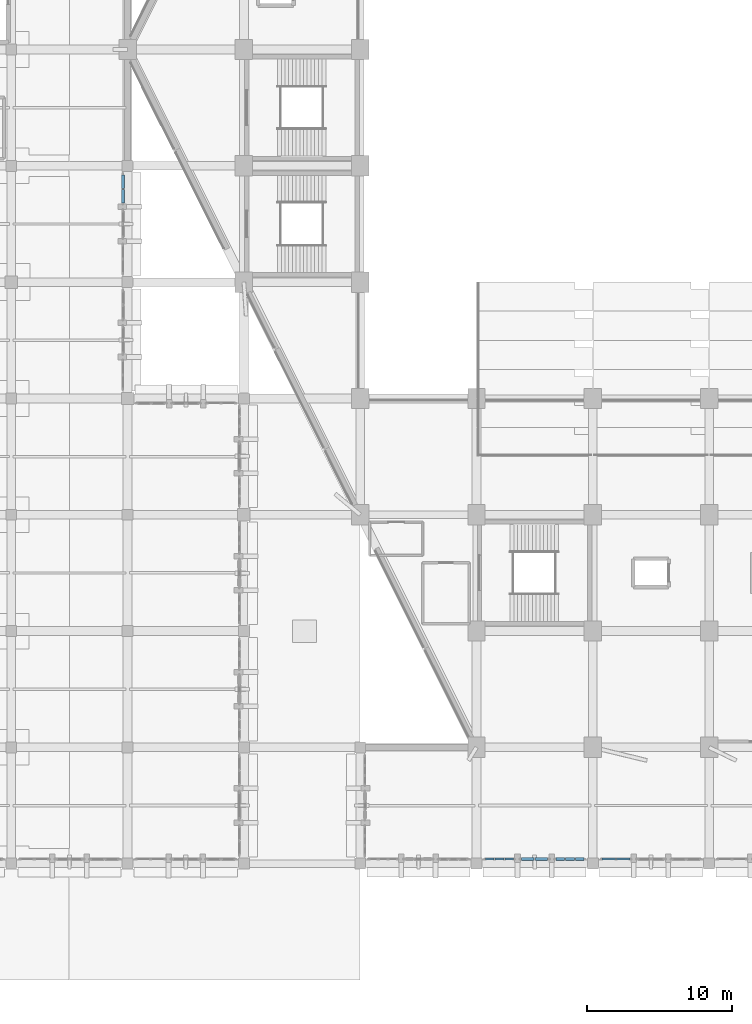
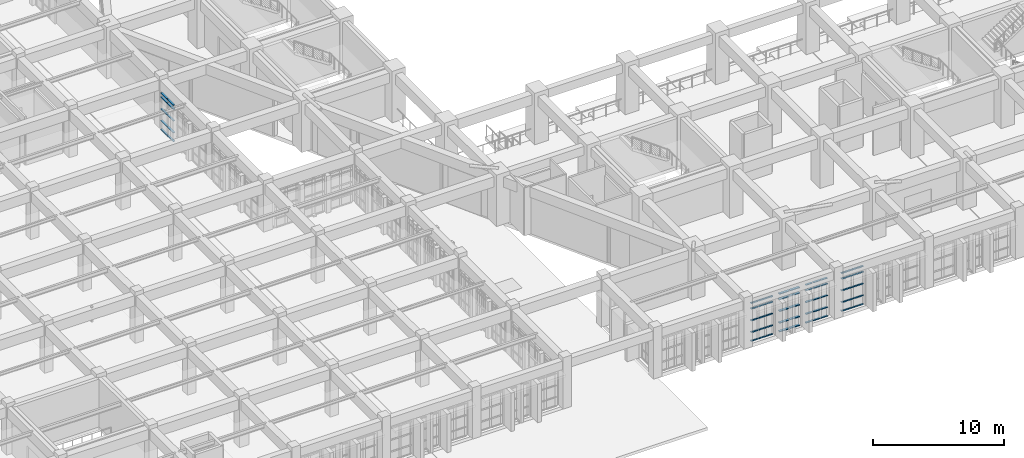
# One storey, part 58 of 155: 60 members, 5 elements without a shape of their own.
"""IFC4 building model written with IfcOpenShell, lengths in metres."""

from ifc_helpers import new_model, si_unit, direction, frame, origin, origin_2d, place, context, subcontext, project, spatial, rectangle, extrude, material, layer, layer_set, material_profile, profile_set, type_object, element, aggregate, save


model = new_model("IFC4")

# Units and contexts
model_context = context("Model", 3, precision=1e-05, world=origin(), true_north=direction((0.0, 1.0)))
body_context = subcontext(model_context, "Body", "Model", "MODEL_VIEW")
ifc_project = project(units=[si_unit("LENGTHUNIT", "METRE"), si_unit("AREAUNIT", "SQUARE_METRE"), si_unit("VOLUMEUNIT", "CUBIC_METRE"), si_unit("PLANEANGLEUNIT", "RADIAN"), si_unit("MASSUNIT", "GRAM", prefix="KILO")], contexts=[model_context])

# Site, building, storey
site_placement = place(None, origin())
site = spatial("IfcSite", under=ifc_project, at=site_placement, CompositionType="ELEMENT")
building_placement = place(site_placement, origin())
building = spatial("IfcBuilding", under=site, at=building_placement, Name="Tazarka Park Arena", CompositionType="ELEMENT")
storey_placement = place(building_placement, frame((0.0, 0.0, 5.39990234375)))
storey = spatial("IfcBuildingStorey", under=building, at=storey_placement, Name="L01", CompositionType="ELEMENT", Elevation=5.39990234375)

# Curtain wall, members
ifc_material_1 = material(Name="Aluminium and low-e glass", Category="aluminium")
ifc_layer_1 = layer(ifc_material_1, 0.179931640625, Name="Aluminium and low-e glass")
ifc_layer_set_1 = layer_set([ifc_layer_1], Name="Aluminium and low-e glass")
curtain_wall_type_1 = type_object("IfcCurtainWallType", Name="CW-09", PredefinedType="NOTDEFINED", material=ifc_layer_set_1)
curtain_wall_1_placement = place(storey_placement, origin())
curtain_wall_1 = element("IfcCurtainWall", 1, at=curtain_wall_1_placement, inside=storey, type_object=curtain_wall_type_1, Name="Curtain Wall CWA-L01-009", PredefinedType="NOTDEFINED")
ifc_material_2 = material(Name="Aluminium 6060-T66", Category="aluminium")
ifc_material_profile_1 = material_profile(ifc_material_2, rectangle(XDim=0.139892578125, YDim=0.06494140625, at=origin_2d()), Name="Aluminium 6060-T66")
ifc_profile_set_1 = profile_set([ifc_material_profile_1], Name="Aluminium 6060-T66")
member_type_1 = type_object("IfcMemberType", Name="CWT-01", PredefinedType="USERDEFINED", material=ifc_profile_set_1)
member_1_placement = place(storey_placement, frame((66.543212890625, 8.320068359375, 0.03271484375), z_axis=(-1.0, 0.0, 0.0), x_axis=(0.0, -1.0, 0.0)))
member_1 = element("IfcMember", 2, at=member_1_placement, type_object=member_type_1, Name="CW-09 transom 1.1", ObjectType="TRANSOM", PredefinedType="USERDEFINED", context=body_context, shape_type="SweptSolid", body=[
    extrude(rectangle(XDim=0.139892578125, YDim=0.06494140625, at=origin_2d()), origin(), (0.0, 0.0, 1.0), 0.5869140625),
])
member_2_placement = place(storey_placement, frame((66.543212890625, 8.320068359375, 0.85009765625), z_axis=(-1.0, 0.0, 0.0), x_axis=(0.0, -1.0, 0.0)))
member_2 = element("IfcMember", 3, at=member_2_placement, type_object=member_type_1, Name="CW-09 transom 1.2", ObjectType="TRANSOM", PredefinedType="USERDEFINED", context=body_context, shape_type="SweptSolid", body=[
    extrude(rectangle(XDim=0.139892578125, YDim=0.06494140625, at=origin_2d()), origin(), (0.0, 0.0, 1.0), 0.5869140625),
])
member_3_placement = place(storey_placement, frame((66.543212890625, 8.320068359375, 1.9501953125), z_axis=(-1.0, 0.0, 0.0), x_axis=(0.0, -1.0, 0.0)))
member_3 = element("IfcMember", 4, at=member_3_placement, type_object=member_type_1, Name="CW-09 transom 1.3", ObjectType="TRANSOM", PredefinedType="USERDEFINED", context=body_context, shape_type="SweptSolid", body=[
    extrude(rectangle(XDim=0.139892578125, YDim=0.06494140625, at=origin_2d()), origin(), (0.0, 0.0, 1.0), 0.5869140625),
])
member_4_placement = place(storey_placement, frame((66.543212890625, 8.320068359375, 3.050048828125), z_axis=(-1.0, 0.0, 0.0), x_axis=(0.0, -1.0, 0.0)))
member_4 = element("IfcMember", 5, at=member_4_placement, type_object=member_type_1, Name="CW-09 transom 1.4", ObjectType="TRANSOM", PredefinedType="USERDEFINED", context=body_context, shape_type="SweptSolid", body=[
    extrude(rectangle(XDim=0.139892578125, YDim=0.06494140625, at=origin_2d()), origin(), (0.0, 0.0, 1.0), 0.5869140625),
])
member_5_placement = place(storey_placement, frame((66.543212890625, 8.320068359375, 3.567626953125), z_axis=(-1.0, 0.0, 0.0), x_axis=(0.0, -1.0, 0.0)))
member_5 = element("IfcMember", 6, at=member_5_placement, type_object=member_type_1, Name="CW-09 transom 1.5", ObjectType="TRANSOM", PredefinedType="USERDEFINED", context=body_context, shape_type="SweptSolid", body=[
    extrude(rectangle(XDim=0.139892578125, YDim=0.06494140625, at=origin_2d()), origin(), (0.0, 0.0, 1.0), 0.5869140625),
])
member_6_placement = place(storey_placement, frame((65.891357421875, 8.320068359375, 0.03271484375), z_axis=(-1.0, 0.0, 0.0), x_axis=(0.0, -1.0, 0.0)))
member_6 = element("IfcMember", 7, at=member_6_placement, type_object=member_type_1, Name="CW-09 transom 2.1", ObjectType="TRANSOM", PredefinedType="USERDEFINED", context=body_context, shape_type="SweptSolid", body=[
    extrude(rectangle(XDim=0.139892578125, YDim=0.06494140625, at=origin_2d()), origin(), (0.0, 0.0, 1.0), 0.619384765625),
])
member_7_placement = place(storey_placement, frame((65.891357421875, 8.320068359375, 0.85009765625), z_axis=(-1.0, 0.0, 0.0), x_axis=(0.0, -1.0, 0.0)))
member_7 = element("IfcMember", 8, at=member_7_placement, type_object=member_type_1, Name="CW-09 transom 2.2", ObjectType="TRANSOM", PredefinedType="USERDEFINED", context=body_context, shape_type="SweptSolid", body=[
    extrude(rectangle(XDim=0.139892578125, YDim=0.06494140625, at=origin_2d()), origin(), (0.0, 0.0, 1.0), 0.619384765625),
])
member_8_placement = place(storey_placement, frame((65.891357421875, 8.320068359375, 1.9501953125), z_axis=(-1.0, 0.0, 0.0), x_axis=(0.0, -1.0, 0.0)))
member_8 = element("IfcMember", 9, at=member_8_placement, type_object=member_type_1, Name="CW-09 transom 2.3", ObjectType="TRANSOM", PredefinedType="USERDEFINED", context=body_context, shape_type="SweptSolid", body=[
    extrude(rectangle(XDim=0.139892578125, YDim=0.06494140625, at=origin_2d()), origin(), (0.0, 0.0, 1.0), 0.619384765625),
])
member_9_placement = place(storey_placement, frame((65.891357421875, 8.320068359375, 3.050048828125), z_axis=(-1.0, 0.0, 0.0), x_axis=(0.0, -1.0, 0.0)))
member_9 = element("IfcMember", 10, at=member_9_placement, type_object=member_type_1, Name="CW-09 transom 2.4", ObjectType="TRANSOM", PredefinedType="USERDEFINED", context=body_context, shape_type="SweptSolid", body=[
    extrude(rectangle(XDim=0.139892578125, YDim=0.06494140625, at=origin_2d()), origin(), (0.0, 0.0, 1.0), 0.619384765625),
])
member_10_placement = place(storey_placement, frame((65.891357421875, 8.320068359375, 3.567626953125), z_axis=(-1.0, 0.0, 0.0), x_axis=(0.0, -1.0, 0.0)))
member_10 = element("IfcMember", 11, at=member_10_placement, type_object=member_type_1, Name="CW-09 transom 2.5", ObjectType="TRANSOM", PredefinedType="USERDEFINED", context=body_context, shape_type="SweptSolid", body=[
    extrude(rectangle(XDim=0.139892578125, YDim=0.06494140625, at=origin_2d()), origin(), (0.0, 0.0, 1.0), 0.619384765625),
])
member_11_placement = place(storey_placement, frame((65.20703125, 8.320068359375, 0.03271484375), z_axis=(-1.0, 0.0, 0.0), x_axis=(0.0, -1.0, 0.0)))
member_11 = element("IfcMember", 12, at=member_11_placement, type_object=member_type_1, Name="CW-09 transom 3.1", ObjectType="TRANSOM", PredefinedType="USERDEFINED", context=body_context, shape_type="SweptSolid", body=[
    extrude(rectangle(XDim=0.139892578125, YDim=0.06494140625, at=origin_2d()), origin(), (0.0, 0.0, 1.0), 0.5869140625),
])
member_12_placement = place(storey_placement, frame((65.20703125, 8.320068359375, 0.85009765625), z_axis=(-1.0, 0.0, 0.0), x_axis=(0.0, -1.0, 0.0)))
member_12 = element("IfcMember", 13, at=member_12_placement, type_object=member_type_1, Name="CW-09 transom 3.2", ObjectType="TRANSOM", PredefinedType="USERDEFINED", context=body_context, shape_type="SweptSolid", body=[
    extrude(rectangle(XDim=0.139892578125, YDim=0.06494140625, at=origin_2d()), origin(), (0.0, 0.0, 1.0), 0.5869140625),
])
member_13_placement = place(storey_placement, frame((65.20703125, 8.320068359375, 1.9501953125), z_axis=(-1.0, 0.0, 0.0), x_axis=(0.0, -1.0, 0.0)))
member_13 = element("IfcMember", 14, at=member_13_placement, type_object=member_type_1, Name="CW-09 transom 3.3", ObjectType="TRANSOM", PredefinedType="USERDEFINED", context=body_context, shape_type="SweptSolid", body=[
    extrude(rectangle(XDim=0.139892578125, YDim=0.06494140625, at=origin_2d()), origin(), (0.0, 0.0, 1.0), 0.5869140625),
])
member_14_placement = place(storey_placement, frame((65.20703125, 8.320068359375, 3.050048828125), z_axis=(-1.0, 0.0, 0.0), x_axis=(0.0, -1.0, 0.0)))
member_14 = element("IfcMember", 15, at=member_14_placement, type_object=member_type_1, Name="CW-09 transom 3.4", ObjectType="TRANSOM", PredefinedType="USERDEFINED", context=body_context, shape_type="SweptSolid", body=[
    extrude(rectangle(XDim=0.139892578125, YDim=0.06494140625, at=origin_2d()), origin(), (0.0, 0.0, 1.0), 0.5869140625),
])
member_15_placement = place(storey_placement, frame((65.20703125, 8.320068359375, 3.567626953125), z_axis=(-1.0, 0.0, 0.0), x_axis=(0.0, -1.0, 0.0)))
member_15 = element("IfcMember", 16, at=member_15_placement, type_object=member_type_1, Name="CW-09 transom 3.5", ObjectType="TRANSOM", PredefinedType="USERDEFINED", context=body_context, shape_type="SweptSolid", body=[
    extrude(rectangle(XDim=0.139892578125, YDim=0.06494140625, at=origin_2d()), origin(), (0.0, 0.0, 1.0), 0.5869140625),
])
aggregate(curtain_wall_1, [member_1, member_2, member_3, member_4, member_5, member_6, member_7, member_8, member_9, member_10, member_11, member_12, member_13, member_14, member_15])

ifc_material_3 = material(Name="Aluminium and low-e glass", Category="aluminium")
ifc_layer_2 = layer(ifc_material_3, 0.179931640625, Name="Aluminium and low-e glass")
ifc_layer_set_2 = layer_set([ifc_layer_2], Name="Aluminium and low-e glass")
curtain_wall_type_2 = type_object("IfcCurtainWallType", Name="CW-12", PredefinedType="NOTDEFINED", material=ifc_layer_set_2)
curtain_wall_2_placement = place(storey_placement, origin())
curtain_wall_2 = element("IfcCurtainWall", 17, at=curtain_wall_2_placement, inside=storey, type_object=curtain_wall_type_2, Name="Curtain Wall CWA-L01-012", PredefinedType="NOTDEFINED")
member_16_placement = place(storey_placement, frame((74.543212890625, 8.320068359375, 0.03271484375), z_axis=(-1.0, 0.0, 0.0), x_axis=(0.0, -1.0, 0.0)))
member_16 = element("IfcMember", 18, at=member_16_placement, type_object=member_type_1, Name="CW-12 transom 1.1", ObjectType="TRANSOM", PredefinedType="USERDEFINED", context=body_context, shape_type="SweptSolid", body=[
    extrude(rectangle(XDim=0.139892578125, YDim=0.06494140625, at=origin_2d()), origin(), (0.0, 0.0, 1.0), 0.928955078125),
])
member_17_placement = place(storey_placement, frame((74.543212890625, 8.320068359375, 0.85009765625), z_axis=(-1.0, 0.0, 0.0), x_axis=(0.0, -1.0, 0.0)))
member_17 = element("IfcMember", 19, at=member_17_placement, type_object=member_type_1, Name="CW-12 transom 1.2", ObjectType="TRANSOM", PredefinedType="USERDEFINED", context=body_context, shape_type="SweptSolid", body=[
    extrude(rectangle(XDim=0.139892578125, YDim=0.06494140625, at=origin_2d()), origin(), (0.0, 0.0, 1.0), 0.928955078125),
])
member_18_placement = place(storey_placement, frame((74.543212890625, 8.320068359375, 1.9501953125), z_axis=(-1.0, 0.0, 0.0), x_axis=(0.0, -1.0, 0.0)))
member_18 = element("IfcMember", 20, at=member_18_placement, type_object=member_type_1, Name="CW-12 transom 1.3", ObjectType="TRANSOM", PredefinedType="USERDEFINED", context=body_context, shape_type="SweptSolid", body=[
    extrude(rectangle(XDim=0.139892578125, YDim=0.06494140625, at=origin_2d()), origin(), (0.0, 0.0, 1.0), 0.928955078125),
])
member_19_placement = place(storey_placement, frame((74.543212890625, 8.320068359375, 3.050048828125), z_axis=(-1.0, 0.0, 0.0), x_axis=(0.0, -1.0, 0.0)))
member_19 = element("IfcMember", 21, at=member_19_placement, type_object=member_type_1, Name="CW-12 transom 1.4", ObjectType="TRANSOM", PredefinedType="USERDEFINED", context=body_context, shape_type="SweptSolid", body=[
    extrude(rectangle(XDim=0.139892578125, YDim=0.06494140625, at=origin_2d()), origin(), (0.0, 0.0, 1.0), 0.928955078125),
])
member_20_placement = place(storey_placement, frame((74.543212890625, 8.320068359375, 3.567626953125), z_axis=(-1.0, 0.0, 0.0), x_axis=(0.0, -1.0, 0.0)))
member_20 = element("IfcMember", 22, at=member_20_placement, type_object=member_type_1, Name="CW-12 transom 1.5", ObjectType="TRANSOM", PredefinedType="USERDEFINED", context=body_context, shape_type="SweptSolid", body=[
    extrude(rectangle(XDim=0.139892578125, YDim=0.06494140625, at=origin_2d()), origin(), (0.0, 0.0, 1.0), 0.928955078125),
])
member_21_placement = place(storey_placement, frame((73.549072265625, 8.320068359375, 0.03271484375), z_axis=(-1.0, 0.0, 0.0), x_axis=(0.0, -1.0, 0.0)))
member_21 = element("IfcMember", 23, at=member_21_placement, type_object=member_type_1, Name="CW-12 transom 2.1", ObjectType="TRANSOM", PredefinedType="USERDEFINED", context=body_context, shape_type="SweptSolid", body=[
    extrude(rectangle(XDim=0.139892578125, YDim=0.06494140625, at=origin_2d()), origin(), (0.0, 0.0, 1.0), 0.928955078125),
])
member_22_placement = place(storey_placement, frame((73.549072265625, 8.320068359375, 0.85009765625), z_axis=(-1.0, 0.0, 0.0), x_axis=(0.0, -1.0, 0.0)))
member_22 = element("IfcMember", 24, at=member_22_placement, type_object=member_type_1, Name="CW-12 transom 2.2", ObjectType="TRANSOM", PredefinedType="USERDEFINED", context=body_context, shape_type="SweptSolid", body=[
    extrude(rectangle(XDim=0.139892578125, YDim=0.06494140625, at=origin_2d()), origin(), (0.0, 0.0, 1.0), 0.928955078125),
])
member_23_placement = place(storey_placement, frame((73.549072265625, 8.320068359375, 1.9501953125), z_axis=(-1.0, 0.0, 0.0), x_axis=(0.0, -1.0, 0.0)))
member_23 = element("IfcMember", 25, at=member_23_placement, type_object=member_type_1, Name="CW-12 transom 2.3", ObjectType="TRANSOM", PredefinedType="USERDEFINED", context=body_context, shape_type="SweptSolid", body=[
    extrude(rectangle(XDim=0.139892578125, YDim=0.06494140625, at=origin_2d()), origin(), (0.0, 0.0, 1.0), 0.928955078125),
])
member_24_placement = place(storey_placement, frame((73.549072265625, 8.320068359375, 3.050048828125), z_axis=(-1.0, 0.0, 0.0), x_axis=(0.0, -1.0, 0.0)))
member_24 = element("IfcMember", 26, at=member_24_placement, type_object=member_type_1, Name="CW-12 transom 2.4", ObjectType="TRANSOM", PredefinedType="USERDEFINED", context=body_context, shape_type="SweptSolid", body=[
    extrude(rectangle(XDim=0.139892578125, YDim=0.06494140625, at=origin_2d()), origin(), (0.0, 0.0, 1.0), 0.928955078125),
])
member_25_placement = place(storey_placement, frame((73.549072265625, 8.320068359375, 3.567626953125), z_axis=(-1.0, 0.0, 0.0), x_axis=(0.0, -1.0, 0.0)))
member_25 = element("IfcMember", 27, at=member_25_placement, type_object=member_type_1, Name="CW-12 transom 2.5", ObjectType="TRANSOM", PredefinedType="USERDEFINED", context=body_context, shape_type="SweptSolid", body=[
    extrude(rectangle(XDim=0.139892578125, YDim=0.06494140625, at=origin_2d()), origin(), (0.0, 0.0, 1.0), 0.928955078125),
])
aggregate(curtain_wall_2, [member_16, member_17, member_18, member_19, member_20, member_21, member_22, member_23, member_24, member_25])

ifc_material_4 = material(Name="Aluminium and low-e glass", Category="aluminium")
ifc_layer_3 = layer(ifc_material_4, 0.179931640625, Name="Aluminium and low-e glass")
ifc_layer_set_3 = layer_set([ifc_layer_3], Name="Aluminium and low-e glass")
curtain_wall_type_3 = type_object("IfcCurtainWallType", Name="CW-07", PredefinedType="NOTDEFINED", material=ifc_layer_set_3)
curtain_wall_3_placement = place(storey_placement, origin())
curtain_wall_3 = element("IfcCurtainWall", 28, at=curtain_wall_3_placement, inside=storey, type_object=curtain_wall_type_3, Name="Curtain Wall CWA-L01-007", PredefinedType="NOTDEFINED")
ifc_material_5 = material(Name="Aluminium 6060-T66", Category="aluminium")
ifc_material_profile_2 = material_profile(ifc_material_5, rectangle(XDim=0.179931640625, YDim=0.06494140625, at=origin_2d()), Name="Aluminium 6060-T66")
ifc_profile_set_2 = profile_set([ifc_material_profile_2], Name="Aluminium 6060-T66")
member_type_2 = type_object("IfcMemberType", Name="CWT-02", PredefinedType="USERDEFINED", material=ifc_profile_set_2)
member_26_placement = place(storey_placement, frame((71.3798828125, 8.320068359375, 0.03271484375), z_axis=(-1.0, 0.0, 0.0), x_axis=(0.0, -1.0, 0.0)))
member_26 = element("IfcMember", 29, at=member_26_placement, type_object=member_type_2, Name="CW-07 transom 1.1", ObjectType="TRANSOM", PredefinedType="USERDEFINED", context=body_context, shape_type="SweptSolid", body=[
    extrude(rectangle(XDim=0.179931640625, YDim=0.06494140625, at=origin_2d()), origin(), (0.0, 0.0, 1.0), 0.5869140625),
])
member_27_placement = place(storey_placement, frame((71.3798828125, 8.320068359375, 0.85009765625), z_axis=(-1.0, 0.0, 0.0), x_axis=(0.0, -1.0, 0.0)))
member_27 = element("IfcMember", 30, at=member_27_placement, type_object=member_type_2, Name="CW-07 transom 1.2", ObjectType="TRANSOM", PredefinedType="USERDEFINED", context=body_context, shape_type="SweptSolid", body=[
    extrude(rectangle(XDim=0.179931640625, YDim=0.06494140625, at=origin_2d()), origin(), (0.0, 0.0, 1.0), 0.5869140625),
])
member_28_placement = place(storey_placement, frame((71.3798828125, 8.320068359375, 1.9501953125), z_axis=(-1.0, 0.0, 0.0), x_axis=(0.0, -1.0, 0.0)))
member_28 = element("IfcMember", 31, at=member_28_placement, type_object=member_type_2, Name="CW-07 transom 1.3", ObjectType="TRANSOM", PredefinedType="USERDEFINED", context=body_context, shape_type="SweptSolid", body=[
    extrude(rectangle(XDim=0.179931640625, YDim=0.06494140625, at=origin_2d()), origin(), (0.0, 0.0, 1.0), 0.5869140625),
])
member_29_placement = place(storey_placement, frame((71.3798828125, 8.320068359375, 3.050048828125), z_axis=(-1.0, 0.0, 0.0), x_axis=(0.0, -1.0, 0.0)))
member_29 = element("IfcMember", 32, at=member_29_placement, type_object=member_type_2, Name="CW-07 transom 1.4", ObjectType="TRANSOM", PredefinedType="USERDEFINED", context=body_context, shape_type="SweptSolid", body=[
    extrude(rectangle(XDim=0.179931640625, YDim=0.06494140625, at=origin_2d()), origin(), (0.0, 0.0, 1.0), 0.5869140625),
])
member_30_placement = place(storey_placement, frame((71.3798828125, 8.320068359375, 3.567626953125), z_axis=(-1.0, 0.0, 0.0), x_axis=(0.0, -1.0, 0.0)))
member_30 = element("IfcMember", 33, at=member_30_placement, type_object=member_type_2, Name="CW-07 transom 1.5", ObjectType="TRANSOM", PredefinedType="USERDEFINED", context=body_context, shape_type="SweptSolid", body=[
    extrude(rectangle(XDim=0.179931640625, YDim=0.06494140625, at=origin_2d()), origin(), (0.0, 0.0, 1.0), 0.5869140625),
])
member_31_placement = place(storey_placement, frame((70.72802734375, 8.320068359375, 0.03271484375), z_axis=(-1.0, 0.0, 0.0), x_axis=(0.0, -1.0, 0.0)))
member_31 = element("IfcMember", 34, at=member_31_placement, type_object=member_type_2, Name="CW-07 transom 2.1", ObjectType="TRANSOM", PredefinedType="USERDEFINED", context=body_context, shape_type="SweptSolid", body=[
    extrude(rectangle(XDim=0.179931640625, YDim=0.06494140625, at=origin_2d()), origin(), (0.0, 0.0, 1.0), 0.619384765625),
])
member_32_placement = place(storey_placement, frame((70.72802734375, 8.320068359375, 0.85009765625), z_axis=(-1.0, 0.0, 0.0), x_axis=(0.0, -1.0, 0.0)))
member_32 = element("IfcMember", 35, at=member_32_placement, type_object=member_type_2, Name="CW-07 transom 2.2", ObjectType="TRANSOM", PredefinedType="USERDEFINED", context=body_context, shape_type="SweptSolid", body=[
    extrude(rectangle(XDim=0.179931640625, YDim=0.06494140625, at=origin_2d()), origin(), (0.0, 0.0, 1.0), 0.619384765625),
])
member_33_placement = place(storey_placement, frame((70.72802734375, 8.320068359375, 1.9501953125), z_axis=(-1.0, 0.0, 0.0), x_axis=(0.0, -1.0, 0.0)))
member_33 = element("IfcMember", 36, at=member_33_placement, type_object=member_type_2, Name="CW-07 transom 2.3", ObjectType="TRANSOM", PredefinedType="USERDEFINED", context=body_context, shape_type="SweptSolid", body=[
    extrude(rectangle(XDim=0.179931640625, YDim=0.06494140625, at=origin_2d()), origin(), (0.0, 0.0, 1.0), 0.619384765625),
])
member_34_placement = place(storey_placement, frame((70.72802734375, 8.320068359375, 3.050048828125), z_axis=(-1.0, 0.0, 0.0), x_axis=(0.0, -1.0, 0.0)))
member_34 = element("IfcMember", 37, at=member_34_placement, type_object=member_type_2, Name="CW-07 transom 2.4", ObjectType="TRANSOM", PredefinedType="USERDEFINED", context=body_context, shape_type="SweptSolid", body=[
    extrude(rectangle(XDim=0.179931640625, YDim=0.06494140625, at=origin_2d()), origin(), (0.0, 0.0, 1.0), 0.619384765625),
])
member_35_placement = place(storey_placement, frame((70.72802734375, 8.320068359375, 3.567626953125), z_axis=(-1.0, 0.0, 0.0), x_axis=(0.0, -1.0, 0.0)))
member_35 = element("IfcMember", 38, at=member_35_placement, type_object=member_type_2, Name="CW-07 transom 2.5", ObjectType="TRANSOM", PredefinedType="USERDEFINED", context=body_context, shape_type="SweptSolid", body=[
    extrude(rectangle(XDim=0.179931640625, YDim=0.06494140625, at=origin_2d()), origin(), (0.0, 0.0, 1.0), 0.619384765625),
])
member_36_placement = place(storey_placement, frame((70.043701171875, 8.320068359375, 0.03271484375), z_axis=(-1.0, 0.0, 0.0), x_axis=(0.0, -1.0, 0.0)))
member_36 = element("IfcMember", 39, at=member_36_placement, type_object=member_type_2, Name="CW-07 transom 3.1", ObjectType="TRANSOM", PredefinedType="USERDEFINED", context=body_context, shape_type="SweptSolid", body=[
    extrude(rectangle(XDim=0.179931640625, YDim=0.06494140625, at=origin_2d()), origin(), (0.0, 0.0, 1.0), 0.5869140625),
])
member_37_placement = place(storey_placement, frame((70.043701171875, 8.320068359375, 0.85009765625), z_axis=(-1.0, 0.0, 0.0), x_axis=(0.0, -1.0, 0.0)))
member_37 = element("IfcMember", 40, at=member_37_placement, type_object=member_type_2, Name="CW-07 transom 3.2", ObjectType="TRANSOM", PredefinedType="USERDEFINED", context=body_context, shape_type="SweptSolid", body=[
    extrude(rectangle(XDim=0.179931640625, YDim=0.06494140625, at=origin_2d()), origin(), (0.0, 0.0, 1.0), 0.5869140625),
])
member_38_placement = place(storey_placement, frame((70.043701171875, 8.320068359375, 1.9501953125), z_axis=(-1.0, 0.0, 0.0), x_axis=(0.0, -1.0, 0.0)))
member_38 = element("IfcMember", 41, at=member_38_placement, type_object=member_type_2, Name="CW-07 transom 3.3", ObjectType="TRANSOM", PredefinedType="USERDEFINED", context=body_context, shape_type="SweptSolid", body=[
    extrude(rectangle(XDim=0.179931640625, YDim=0.06494140625, at=origin_2d()), origin(), (0.0, 0.0, 1.0), 0.5869140625),
])
member_39_placement = place(storey_placement, frame((70.043701171875, 8.320068359375, 3.050048828125), z_axis=(-1.0, 0.0, 0.0), x_axis=(0.0, -1.0, 0.0)))
member_39 = element("IfcMember", 42, at=member_39_placement, type_object=member_type_2, Name="CW-07 transom 3.4", ObjectType="TRANSOM", PredefinedType="USERDEFINED", context=body_context, shape_type="SweptSolid", body=[
    extrude(rectangle(XDim=0.179931640625, YDim=0.06494140625, at=origin_2d()), origin(), (0.0, 0.0, 1.0), 0.5869140625),
])
member_40_placement = place(storey_placement, frame((70.043701171875, 8.320068359375, 3.567626953125), z_axis=(-1.0, 0.0, 0.0), x_axis=(0.0, -1.0, 0.0)))
member_40 = element("IfcMember", 43, at=member_40_placement, type_object=member_type_2, Name="CW-07 transom 3.5", ObjectType="TRANSOM", PredefinedType="USERDEFINED", context=body_context, shape_type="SweptSolid", body=[
    extrude(rectangle(XDim=0.179931640625, YDim=0.06494140625, at=origin_2d()), origin(), (0.0, 0.0, 1.0), 0.5869140625),
])
aggregate(curtain_wall_3, [member_26, member_27, member_28, member_29, member_30, member_31, member_32, member_33, member_34, member_35, member_36, member_37, member_38, member_39, member_40])

ifc_material_6 = material(Name="Aluminium and low-e glass", Category="aluminium")
ifc_layer_4 = layer(ifc_material_6, 0.179931640625, Name="Aluminium and low-e glass")
ifc_layer_set_4 = layer_set([ifc_layer_4], Name="Aluminium and low-e glass")
curtain_wall_type_4 = type_object("IfcCurtainWallType", Name="CW-16", PredefinedType="NOTDEFINED", material=ifc_layer_set_4)
curtain_wall_4_placement = place(storey_placement, origin())
curtain_wall_4 = element("IfcCurtainWall", 44, at=curtain_wall_4_placement, inside=storey, type_object=curtain_wall_type_4, Name="Curtain Wall CWA-L01-106", PredefinedType="NOTDEFINED")
member_41_placement = place(storey_placement, frame((39.679931640625, 55.3798828125, 0.03271484375), z_axis=(0.0, -1.0, 0.0), x_axis=(1.0, 0.0, 0.0)))
member_41 = element("IfcMember", 45, at=member_41_placement, type_object=member_type_2, Name="CW-16 transom 1.1", ObjectType="TRANSOM", PredefinedType="USERDEFINED", context=body_context, shape_type="SweptSolid", body=[
    extrude(rectangle(XDim=0.179931640625, YDim=0.06494140625, at=origin_2d()), origin(), (0.0, 0.0, 1.0), 0.928955078125),
])
member_42_placement = place(storey_placement, frame((39.679931640625, 55.3798828125, 0.85009765625), z_axis=(0.0, -1.0, 0.0), x_axis=(1.0, 0.0, 0.0)))
member_42 = element("IfcMember", 46, at=member_42_placement, type_object=member_type_2, Name="CW-16 transom 1.2", ObjectType="TRANSOM", PredefinedType="USERDEFINED", context=body_context, shape_type="SweptSolid", body=[
    extrude(rectangle(XDim=0.179931640625, YDim=0.06494140625, at=origin_2d()), origin(), (0.0, 0.0, 1.0), 0.928955078125),
])
member_43_placement = place(storey_placement, frame((39.679931640625, 55.3798828125, 1.9501953125), z_axis=(0.0, -1.0, 0.0), x_axis=(1.0, 0.0, 0.0)))
member_43 = element("IfcMember", 47, at=member_43_placement, type_object=member_type_2, Name="CW-16 transom 1.3", ObjectType="TRANSOM", PredefinedType="USERDEFINED", context=body_context, shape_type="SweptSolid", body=[
    extrude(rectangle(XDim=0.179931640625, YDim=0.06494140625, at=origin_2d()), origin(), (0.0, 0.0, 1.0), 0.928955078125),
])
member_44_placement = place(storey_placement, frame((39.679931640625, 55.3798828125, 3.050048828125), z_axis=(0.0, -1.0, 0.0), x_axis=(1.0, 0.0, 0.0)))
member_44 = element("IfcMember", 48, at=member_44_placement, type_object=member_type_2, Name="CW-16 transom 1.4", ObjectType="TRANSOM", PredefinedType="USERDEFINED", context=body_context, shape_type="SweptSolid", body=[
    extrude(rectangle(XDim=0.179931640625, YDim=0.06494140625, at=origin_2d()), origin(), (0.0, 0.0, 1.0), 0.928955078125),
])
member_45_placement = place(storey_placement, frame((39.679931640625, 55.3798828125, 3.41748046875), z_axis=(0.0, -1.0, 0.0), x_axis=(1.0, 0.0, 0.0)))
member_45 = element("IfcMember", 49, at=member_45_placement, type_object=member_type_2, Name="CW-16 transom 1.5", ObjectType="TRANSOM", PredefinedType="USERDEFINED", context=body_context, shape_type="SweptSolid", body=[
    extrude(rectangle(XDim=0.179931640625, YDim=0.06494140625, at=origin_2d()), origin(), (0.0, 0.0, 1.0), 0.928955078125),
])
member_46_placement = place(storey_placement, frame((39.679931640625, 54.3857421875, 0.03271484375), z_axis=(0.0, -1.0, 0.0), x_axis=(1.0, 0.0, 0.0)))
member_46 = element("IfcMember", 50, at=member_46_placement, type_object=member_type_2, Name="CW-16 transom 2.1", ObjectType="TRANSOM", PredefinedType="USERDEFINED", context=body_context, shape_type="SweptSolid", body=[
    extrude(rectangle(XDim=0.179931640625, YDim=0.06494140625, at=origin_2d()), origin(), (0.0, 0.0, 1.0), 0.928955078125),
])
member_47_placement = place(storey_placement, frame((39.679931640625, 54.3857421875, 0.85009765625), z_axis=(0.0, -1.0, 0.0), x_axis=(1.0, 0.0, 0.0)))
member_47 = element("IfcMember", 51, at=member_47_placement, type_object=member_type_2, Name="CW-16 transom 2.2", ObjectType="TRANSOM", PredefinedType="USERDEFINED", context=body_context, shape_type="SweptSolid", body=[
    extrude(rectangle(XDim=0.179931640625, YDim=0.06494140625, at=origin_2d()), origin(), (0.0, 0.0, 1.0), 0.928955078125),
])
member_48_placement = place(storey_placement, frame((39.679931640625, 54.3857421875, 1.9501953125), z_axis=(0.0, -1.0, 0.0), x_axis=(1.0, 0.0, 0.0)))
member_48 = element("IfcMember", 52, at=member_48_placement, type_object=member_type_2, Name="CW-16 transom 2.3", ObjectType="TRANSOM", PredefinedType="USERDEFINED", context=body_context, shape_type="SweptSolid", body=[
    extrude(rectangle(XDim=0.179931640625, YDim=0.06494140625, at=origin_2d()), origin(), (0.0, 0.0, 1.0), 0.928955078125),
])
member_49_placement = place(storey_placement, frame((39.679931640625, 54.3857421875, 3.050048828125), z_axis=(0.0, -1.0, 0.0), x_axis=(1.0, 0.0, 0.0)))
member_49 = element("IfcMember", 53, at=member_49_placement, type_object=member_type_2, Name="CW-16 transom 2.4", ObjectType="TRANSOM", PredefinedType="USERDEFINED", context=body_context, shape_type="SweptSolid", body=[
    extrude(rectangle(XDim=0.179931640625, YDim=0.06494140625, at=origin_2d()), origin(), (0.0, 0.0, 1.0), 0.928955078125),
])
member_50_placement = place(storey_placement, frame((39.679931640625, 54.3857421875, 3.41748046875), z_axis=(0.0, -1.0, 0.0), x_axis=(1.0, 0.0, 0.0)))
member_50 = element("IfcMember", 54, at=member_50_placement, type_object=member_type_2, Name="CW-16 transom 2.5", ObjectType="TRANSOM", PredefinedType="USERDEFINED", context=body_context, shape_type="SweptSolid", body=[
    extrude(rectangle(XDim=0.179931640625, YDim=0.06494140625, at=origin_2d()), origin(), (0.0, 0.0, 1.0), 0.928955078125),
])
aggregate(curtain_wall_4, [member_41, member_42, member_43, member_44, member_45, member_46, member_47, member_48, member_49, member_50])

ifc_material_7 = material(Name="Aluminium and low-e glass", Category="aluminium")
ifc_layer_5 = layer(ifc_material_7, 0.179931640625, Name="Aluminium and low-e glass")
ifc_layer_set_5 = layer_set([ifc_layer_5], Name="Aluminium and low-e glass")
curtain_wall_type_5 = type_object("IfcCurtainWallType", Name="CW-08", PredefinedType="NOTDEFINED", material=ifc_layer_set_5)
curtain_wall_5_placement = place(storey_placement, origin())
curtain_wall_5 = element("IfcCurtainWall", 55, at=curtain_wall_5_placement, inside=storey, type_object=curtain_wall_type_5, Name="Curtain Wall CWA-L01-008", PredefinedType="NOTDEFINED")
ifc_material_8 = material(Name="Aluminium 6060-T66", Category="aluminium")
ifc_material_profile_3 = material_profile(ifc_material_8, rectangle(XDim=0.2099609375, YDim=0.074951171875, at=origin_2d()), Name="Aluminium 6060-T66")
ifc_profile_set_3 = profile_set([ifc_material_profile_3], Name="Aluminium 6060-T66")
member_type_3 = type_object("IfcMemberType", Name="CWT-03", PredefinedType="USERDEFINED", material=ifc_profile_set_3)
member_51_placement = place(storey_placement, frame((68.896728515625, 8.320068359375, 0.03759765625), z_axis=(-1.0, 0.0, 0.0), x_axis=(0.0, -1.0, 0.0)))
member_51 = element("IfcMember", 56, at=member_51_placement, type_object=member_type_3, Name="CW-08 transom 1.1", ObjectType="TRANSOM", PredefinedType="USERDEFINED", context=body_context, shape_type="SweptSolid", body=[
    extrude(rectangle(XDim=0.2099609375, YDim=0.074951171875, at=origin_2d()), origin(), (0.0, 0.0, 1.0), 0.859130859375),
])
member_52_placement = place(storey_placement, frame((68.896728515625, 8.320068359375, 0.85009765625), z_axis=(-1.0, 0.0, 0.0), x_axis=(0.0, -1.0, 0.0)))
member_52 = element("IfcMember", 57, at=member_52_placement, type_object=member_type_3, Name="CW-08 transom 1.2", ObjectType="TRANSOM", PredefinedType="USERDEFINED", context=body_context, shape_type="SweptSolid", body=[
    extrude(rectangle(XDim=0.2099609375, YDim=0.074951171875, at=origin_2d()), origin(), (0.0, 0.0, 1.0), 0.859130859375),
])
member_53_placement = place(storey_placement, frame((68.896728515625, 8.320068359375, 1.9501953125), z_axis=(-1.0, 0.0, 0.0), x_axis=(0.0, -1.0, 0.0)))
member_53 = element("IfcMember", 58, at=member_53_placement, type_object=member_type_3, Name="CW-08 transom 1.3", ObjectType="TRANSOM", PredefinedType="USERDEFINED", context=body_context, shape_type="SweptSolid", body=[
    extrude(rectangle(XDim=0.2099609375, YDim=0.074951171875, at=origin_2d()), origin(), (0.0, 0.0, 1.0), 0.859130859375),
])
member_54_placement = place(storey_placement, frame((68.896728515625, 8.320068359375, 3.050048828125), z_axis=(-1.0, 0.0, 0.0), x_axis=(0.0, -1.0, 0.0)))
member_54 = element("IfcMember", 59, at=member_54_placement, type_object=member_type_3, Name="CW-08 transom 1.4", ObjectType="TRANSOM", PredefinedType="USERDEFINED", context=body_context, shape_type="SweptSolid", body=[
    extrude(rectangle(XDim=0.2099609375, YDim=0.074951171875, at=origin_2d()), origin(), (0.0, 0.0, 1.0), 0.859130859375),
])
member_55_placement = place(storey_placement, frame((68.896728515625, 8.320068359375, 3.5625), z_axis=(-1.0, 0.0, 0.0), x_axis=(0.0, -1.0, 0.0)))
member_55 = element("IfcMember", 60, at=member_55_placement, type_object=member_type_3, Name="CW-08 transom 1.5", ObjectType="TRANSOM", PredefinedType="USERDEFINED", context=body_context, shape_type="SweptSolid", body=[
    extrude(rectangle(XDim=0.2099609375, YDim=0.074951171875, at=origin_2d()), origin(), (0.0, 0.0, 1.0), 0.859130859375),
])
member_56_placement = place(storey_placement, frame((67.96240234375, 8.320068359375, 0.03759765625), z_axis=(-1.0, 0.0, 0.0), x_axis=(0.0, -1.0, 0.0)))
member_56 = element("IfcMember", 61, at=member_56_placement, type_object=member_type_3, Name="CW-08 transom 2.1", ObjectType="TRANSOM", PredefinedType="USERDEFINED", context=body_context, shape_type="SweptSolid", body=[
    extrude(rectangle(XDim=0.2099609375, YDim=0.074951171875, at=origin_2d()), origin(), (0.0, 0.0, 1.0), 0.859130859375),
])
member_57_placement = place(storey_placement, frame((67.96240234375, 8.320068359375, 0.85009765625), z_axis=(-1.0, 0.0, 0.0), x_axis=(0.0, -1.0, 0.0)))
member_57 = element("IfcMember", 62, at=member_57_placement, type_object=member_type_3, Name="CW-08 transom 2.2", ObjectType="TRANSOM", PredefinedType="USERDEFINED", context=body_context, shape_type="SweptSolid", body=[
    extrude(rectangle(XDim=0.2099609375, YDim=0.074951171875, at=origin_2d()), origin(), (0.0, 0.0, 1.0), 0.859130859375),
])
member_58_placement = place(storey_placement, frame((67.96240234375, 8.320068359375, 1.9501953125), z_axis=(-1.0, 0.0, 0.0), x_axis=(0.0, -1.0, 0.0)))
member_58 = element("IfcMember", 63, at=member_58_placement, type_object=member_type_3, Name="CW-08 transom 2.3", ObjectType="TRANSOM", PredefinedType="USERDEFINED", context=body_context, shape_type="SweptSolid", body=[
    extrude(rectangle(XDim=0.2099609375, YDim=0.074951171875, at=origin_2d()), origin(), (0.0, 0.0, 1.0), 0.859130859375),
])
member_59_placement = place(storey_placement, frame((67.96240234375, 8.320068359375, 3.050048828125), z_axis=(-1.0, 0.0, 0.0), x_axis=(0.0, -1.0, 0.0)))
member_59 = element("IfcMember", 64, at=member_59_placement, type_object=member_type_3, Name="CW-08 transom 2.4", ObjectType="TRANSOM", PredefinedType="USERDEFINED", context=body_context, shape_type="SweptSolid", body=[
    extrude(rectangle(XDim=0.2099609375, YDim=0.074951171875, at=origin_2d()), origin(), (0.0, 0.0, 1.0), 0.859130859375),
])
member_60_placement = place(storey_placement, frame((67.96240234375, 8.320068359375, 3.5625), z_axis=(-1.0, 0.0, 0.0), x_axis=(0.0, -1.0, 0.0)))
member_60 = element("IfcMember", 65, at=member_60_placement, type_object=member_type_3, Name="CW-08 transom 2.5", ObjectType="TRANSOM", PredefinedType="USERDEFINED", context=body_context, shape_type="SweptSolid", body=[
    extrude(rectangle(XDim=0.2099609375, YDim=0.074951171875, at=origin_2d()), origin(), (0.0, 0.0, 1.0), 0.859130859375),
])
aggregate(curtain_wall_5, [member_51, member_52, member_53, member_54, member_55, member_56, member_57, member_58, member_59, member_60])

save(model, "model.ifc")
